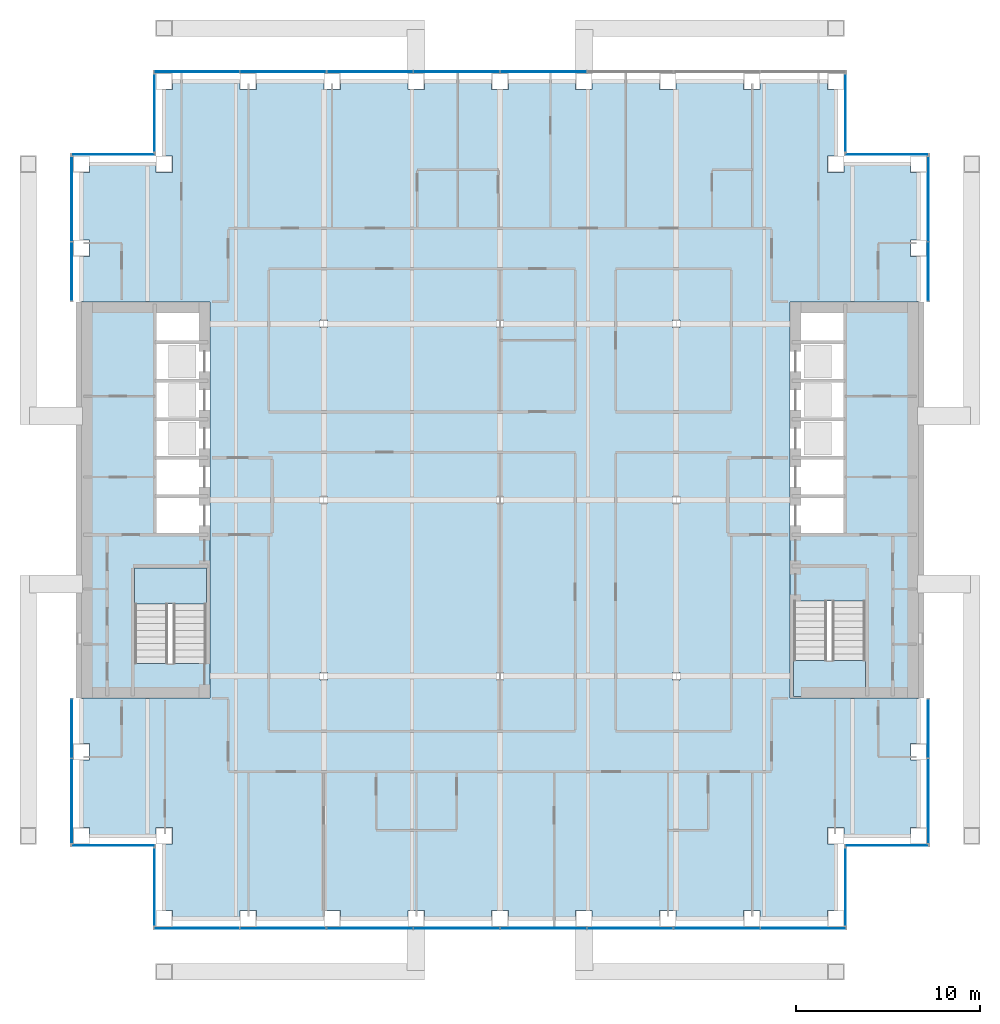
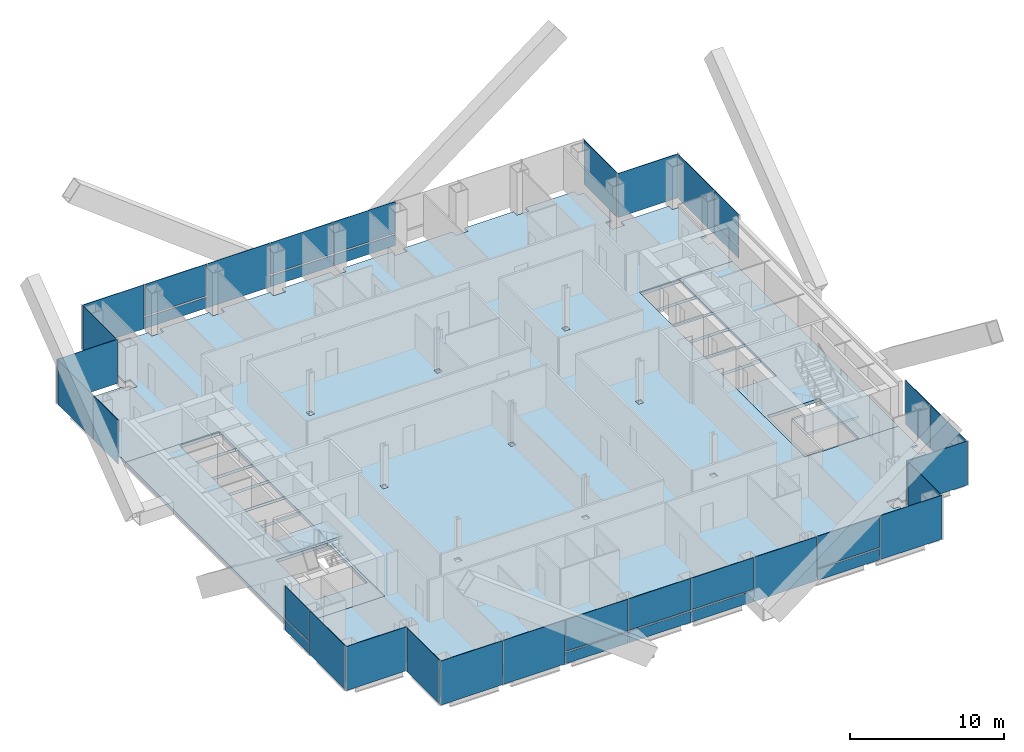
# One storey, part 10 of 17: 38 plates, 5 slabs, 16 elements without a shape of their own.
"""IFC4 building model written with IfcOpenShell, lengths in metres."""

from ifc_helpers import new_model, si_unit, direction, frame, origin, origin_2d, place, context, subcontext, project, spatial, polyline, rectangle, outline, extrude, material, layer, layer_set, type_object, element, aggregate, save


model = new_model("IFC4")

# Units and contexts
model_context = context("Model", 3, precision=1e-05, world=origin(), true_north=direction((0.0, 1.0)))
body_context = subcontext(model_context, "Body", "Model", "MODEL_VIEW")
ifc_project = project(units=[si_unit("LENGTHUNIT", "METRE"), si_unit("AREAUNIT", "SQUARE_METRE"), si_unit("VOLUMEUNIT", "CUBIC_METRE"), si_unit("PLANEANGLEUNIT", "RADIAN"), si_unit("MASSUNIT", "GRAM", prefix="KILO")], contexts=[model_context])

# Site, building, storey
site_placement = place(None, origin())
site = spatial("IfcSite", under=ifc_project, at=site_placement, CompositionType="ELEMENT")
building_placement = place(site_placement, origin())
building = spatial("IfcBuilding", under=site, at=building_placement, Name="Cobrizo Arcos Hotel Tower", CompositionType="ELEMENT")
storey_placement = place(building_placement, frame((0.0, 0.0, 106.5)))
storey = spatial("IfcBuildingStorey", under=building, at=storey_placement, Name="L26", CompositionType="ELEMENT", Elevation=106.5)

# Curtain wall, plates
ifc_material_1 = material(Name="Aluminium 6063-T6 anodised bronze", Category="aluminium")
curtain_wall_type = type_object("IfcCurtainWallType", Name="CW-A guest facade", PredefinedType="NOTDEFINED", material=ifc_material_1)
curtain_wall_1_placement = place(storey_placement, origin())
curtain_wall_1 = element("IfcCurtainWall", 1, at=curtain_wall_1_placement, inside=storey, type_object=curtain_wall_type, Name="CW-A L26 S face", PredefinedType="NOTDEFINED")
ifc_material_2 = material(Name="Glass clear laminated low-e", Category="glass")
ifc_layer_1 = layer(ifc_material_2, 0.0400390625)
ifc_layer_set_1 = layer_set([ifc_layer_1], Name="CW-A glass panel")
plate_type_1 = type_object("IfcPlateType", Name="CW-A glass panel", PredefinedType="CURTAIN_PANEL", material=ifc_layer_set_1)
plate_1_placement = place(storey_placement, frame((-7.08740234375, -23.324951171875, 0.990234375), z_axis=(0.0, 0.0, 1.0), x_axis=(1.0, 0.0, 0.0)))
plate_1 = element("IfcPlate", 2, at=plate_1_placement, type_object=plate_type_1, Name="CW-A glass panel 1013", PredefinedType="CURTAIN_PANEL", context=body_context, shape_type="SweptSolid", body=[
    extrude(rectangle(XDim=4.6650390625, YDim=0.0400390625, at=origin_2d()), origin(), (0.0, 0.0, 1.0), 2.510009765625),
])
plate_2_placement = place(storey_placement, frame((-2.362548828125, -23.324951171875, 0.990234375), z_axis=(0.0, 0.0, 1.0), x_axis=(1.0, 0.0, 0.0)))
plate_2 = element("IfcPlate", 3, at=plate_2_placement, type_object=plate_type_1, Name="CW-A glass panel 1014", PredefinedType="CURTAIN_PANEL", context=body_context, shape_type="SweptSolid", body=[
    extrude(rectangle(XDim=4.6650390625, YDim=0.0400390625, at=origin_2d()), origin(), (0.0, 0.0, 1.0), 2.510009765625),
])
plate_3_placement = place(storey_placement, frame((2.362548828125, -23.324951171875, 0.990234375), z_axis=(0.0, 0.0, 1.0), x_axis=(1.0, 0.0, 0.0)))
plate_3 = element("IfcPlate", 4, at=plate_3_placement, type_object=plate_type_1, Name="CW-A glass panel 1015", PredefinedType="CURTAIN_PANEL", context=body_context, shape_type="SweptSolid", body=[
    extrude(rectangle(XDim=4.6650390625, YDim=0.0400390625, at=origin_2d()), origin(), (0.0, 0.0, 1.0), 2.510009765625),
])
plate_4_placement = place(storey_placement, frame((11.8125, -23.324951171875, 0.990234375), z_axis=(0.0, 0.0, 1.0), x_axis=(1.0, 0.0, 0.0)))
plate_4 = element("IfcPlate", 5, at=plate_4_placement, type_object=plate_type_1, Name="CW-A glass panel 1017", PredefinedType="CURTAIN_PANEL", context=body_context, shape_type="SweptSolid", body=[
    extrude(rectangle(XDim=4.6650390625, YDim=0.0400390625, at=origin_2d()), origin(), (0.0, 0.0, 1.0), 2.510009765625),
])

# Curtain wall, plate
curtain_wall_2_placement = place(storey_placement, origin())
curtain_wall_2 = element("IfcCurtainWall", 6, at=curtain_wall_2_placement, inside=storey, type_object=curtain_wall_type, Name="CW-A L26 E face", PredefinedType="NOTDEFINED")
plate_5_placement = place(storey_placement, frame((23.324951171875, 12.4462890625, 0.990234375), z_axis=(0.0, 0.0, 1.0), x_axis=(0.0, 1.0, 0.0)))
plate_5 = element("IfcPlate", 7, at=plate_5_placement, type_object=plate_type_1, Name="CW-A glass panel 1023", PredefinedType="CURTAIN_PANEL", context=body_context, shape_type="SweptSolid", body=[
    extrude(rectangle(XDim=3.172607421875, YDim=0.0400390625, at=origin_2d()), origin(), (0.0, 0.0, 1.0), 2.510009765625),
])

# Curtain wall, plates
curtain_wall_3_placement = place(storey_placement, origin())
curtain_wall_3 = element("IfcCurtainWall", 8, at=curtain_wall_3_placement, inside=storey, type_object=curtain_wall_type, Name="CW-A L26 N face", PredefinedType="NOTDEFINED")
plate_6_placement = place(storey_placement, frame((2.362548828125, 23.324951171875, 0.990234375), z_axis=(0.0, 0.0, 1.0), x_axis=(-1.0, 0.0, 0.0)))
plate_6 = element("IfcPlate", 9, at=plate_6_placement, type_object=plate_type_1, Name="CW-A glass panel 1030", PredefinedType="CURTAIN_PANEL", context=body_context, shape_type="SweptSolid", body=[
    extrude(rectangle(XDim=4.6650390625, YDim=0.0400390625, at=origin_2d()), origin(), (0.0, 0.0, 1.0), 2.510009765625),
])
plate_7_placement = place(storey_placement, frame((-2.362548828125, 23.324951171875, 0.990234375), z_axis=(0.0, 0.0, 1.0), x_axis=(-1.0, 0.0, 0.0)))
plate_7 = element("IfcPlate", 10, at=plate_7_placement, type_object=plate_type_1, Name="CW-A glass panel 1031", PredefinedType="CURTAIN_PANEL", context=body_context, shape_type="SweptSolid", body=[
    extrude(rectangle(XDim=4.6650390625, YDim=0.0400390625, at=origin_2d()), origin(), (0.0, 0.0, 1.0), 2.510009765625),
])
plate_8_placement = place(storey_placement, frame((-11.8125, 23.324951171875, 0.990234375), z_axis=(0.0, 0.0, 1.0), x_axis=(-1.0, 0.0, 0.0)))
plate_8 = element("IfcPlate", 11, at=plate_8_placement, type_object=plate_type_1, Name="CW-A glass panel 1033", PredefinedType="CURTAIN_PANEL", context=body_context, shape_type="SweptSolid", body=[
    extrude(rectangle(XDim=4.6650390625, YDim=0.0400390625, at=origin_2d()), origin(), (0.0, 0.0, 1.0), 2.510009765625),
])

# Curtain wall, plate
curtain_wall_4_placement = place(storey_placement, origin())
curtain_wall_4 = element("IfcCurtainWall", 12, at=curtain_wall_4_placement, inside=storey, type_object=curtain_wall_type, Name="CW-A L26 W face", PredefinedType="NOTDEFINED")
plate_9_placement = place(storey_placement, frame((-23.324951171875, -12.4462890625, 0.990234375), z_axis=(0.0, 0.0, 1.0), x_axis=(0.0, -1.0, 0.0)))
plate_9 = element("IfcPlate", 13, at=plate_9_placement, type_object=plate_type_1, Name="CW-A glass panel 1039", PredefinedType="CURTAIN_PANEL", context=body_context, shape_type="SweptSolid", body=[
    extrude(rectangle(XDim=3.172607421875, YDim=0.0400390625, at=origin_2d()), origin(), (0.0, 0.0, 1.0), 2.510009765625),
])

# Plate
ifc_material_3 = material(Name="Aluminium composite panel pale metal", Category="aluminium")
ifc_layer_2 = layer(ifc_material_3, 0.0400390625)
ifc_layer_set_2 = layer_set([ifc_layer_2], Name="CW-A spandrel panel")
plate_type_2 = type_object("IfcPlateType", Name="CW-A spandrel panel", PredefinedType="CURTAIN_PANEL", material=ifc_layer_set_2)
plate_10_placement = place(storey_placement, frame((-16.5224609375, -23.324951171875, 0.0), z_axis=(0.0, 0.0, 1.0), x_axis=(1.0, 0.0, 0.0)))
plate_10 = element("IfcPlate", 14, at=plate_10_placement, type_object=plate_type_2, Name="CW-A spandrel panel 1011", PredefinedType="CURTAIN_PANEL", context=body_context, shape_type="SweptSolid", body=[
    extrude(rectangle(XDim=4.635009765625, YDim=0.0400390625, at=origin_2d()), origin(), (0.0, 0.0, 1.0), 3.5),
])

plate_11_placement = place(storey_placement, frame((-11.8125, -23.324951171875, 0.0), z_axis=(0.0, 0.0, 1.0), x_axis=(1.0, 0.0, 0.0)))
plate_11 = element("IfcPlate", 15, at=plate_11_placement, type_object=plate_type_2, Name="CW-A spandrel panel 1012", PredefinedType="CURTAIN_PANEL", context=body_context, shape_type="SweptSolid", body=[
    extrude(rectangle(XDim=4.6650390625, YDim=0.0400390625, at=origin_2d()), origin(), (0.0, 0.0, 1.0), 3.5),
])

plate_12_placement = place(storey_placement, frame((-7.08740234375, -23.324951171875, 0.0), z_axis=(0.0, 0.0, 1.0), x_axis=(1.0, 0.0, 0.0)))
plate_12 = element("IfcPlate", 16, at=plate_12_placement, type_object=plate_type_2, Name="CW-A spandrel panel 1013", PredefinedType="CURTAIN_PANEL", context=body_context, shape_type="SweptSolid", body=[
    extrude(rectangle(XDim=4.6650390625, YDim=0.0400390625, at=origin_2d()), origin(), (0.0, 0.0, 1.0), 0.8701171875),
])

plate_13_placement = place(storey_placement, frame((-2.362548828125, -23.324951171875, 0.0), z_axis=(0.0, 0.0, 1.0), x_axis=(1.0, 0.0, 0.0)))
plate_13 = element("IfcPlate", 17, at=plate_13_placement, type_object=plate_type_2, Name="CW-A spandrel panel 1014", PredefinedType="CURTAIN_PANEL", context=body_context, shape_type="SweptSolid", body=[
    extrude(rectangle(XDim=4.6650390625, YDim=0.0400390625, at=origin_2d()), origin(), (0.0, 0.0, 1.0), 0.8701171875),
])

plate_14_placement = place(storey_placement, frame((2.362548828125, -23.324951171875, 0.0), z_axis=(0.0, 0.0, 1.0), x_axis=(1.0, 0.0, 0.0)))
plate_14 = element("IfcPlate", 18, at=plate_14_placement, type_object=plate_type_2, Name="CW-A spandrel panel 1015", PredefinedType="CURTAIN_PANEL", context=body_context, shape_type="SweptSolid", body=[
    extrude(rectangle(XDim=4.6650390625, YDim=0.0400390625, at=origin_2d()), origin(), (0.0, 0.0, 1.0), 0.8701171875),
])

plate_15_placement = place(storey_placement, frame((7.08740234375, -23.324951171875, 0.0), z_axis=(0.0, 0.0, 1.0), x_axis=(1.0, 0.0, 0.0)))
plate_15 = element("IfcPlate", 19, at=plate_15_placement, type_object=plate_type_2, Name="CW-A spandrel panel 1016", PredefinedType="CURTAIN_PANEL", context=body_context, shape_type="SweptSolid", body=[
    extrude(rectangle(XDim=4.6650390625, YDim=0.0400390625, at=origin_2d()), origin(), (0.0, 0.0, 1.0), 3.5),
])

plate_16_placement = place(storey_placement, frame((11.8125, -23.324951171875, 0.0), z_axis=(0.0, 0.0, 1.0), x_axis=(1.0, 0.0, 0.0)))
plate_16 = element("IfcPlate", 20, at=plate_16_placement, type_object=plate_type_2, Name="CW-A spandrel panel 1017", PredefinedType="CURTAIN_PANEL", context=body_context, shape_type="SweptSolid", body=[
    extrude(rectangle(XDim=4.6650390625, YDim=0.0400390625, at=origin_2d()), origin(), (0.0, 0.0, 1.0), 0.8701171875),
])

plate_17_placement = place(storey_placement, frame((16.5224609375, -23.324951171875, 0.0), z_axis=(0.0, 0.0, 1.0), x_axis=(1.0, 0.0, 0.0)))
plate_17 = element("IfcPlate", 21, at=plate_17_placement, type_object=plate_type_2, Name="CW-A spandrel panel 1018", PredefinedType="CURTAIN_PANEL", context=body_context, shape_type="SweptSolid", body=[
    extrude(rectangle(XDim=4.635009765625, YDim=0.0400390625, at=origin_2d()), origin(), (0.0, 0.0, 1.0), 3.5),
])

aggregate(curtain_wall_1, [plate_10, plate_11, plate_12, plate_1, plate_13, plate_2, plate_14, plate_3, plate_15, plate_16, plate_4, plate_17])

# Curtain wall, plate
curtain_wall_5_placement = place(storey_placement, origin())
curtain_wall_5 = element("IfcCurtainWall", 22, at=curtain_wall_5_placement, inside=storey, type_object=curtain_wall_type, Name="CW-A L26 E face", PredefinedType="NOTDEFINED")
plate_18_placement = place(storey_placement, frame((18.824951171875, -21.074951171875, 0.0), z_axis=(0.0, 0.0, 1.0), x_axis=(0.0, 1.0, 0.0)))
plate_18 = element("IfcPlate", 23, at=plate_18_placement, type_object=plate_type_2, Name="CW-A spandrel panel 1019", PredefinedType="CURTAIN_PANEL", context=body_context, shape_type="SweptSolid", body=[
    extrude(rectangle(XDim=4.22998046875, YDim=0.0400390625, at=origin_2d()), origin(), (0.0, 0.0, 1.0), 3.5),
])
aggregate(curtain_wall_5, [plate_18])

curtain_wall_6_placement = place(storey_placement, origin())
curtain_wall_6 = element("IfcCurtainWall", 24, at=curtain_wall_6_placement, inside=storey, type_object=curtain_wall_type, Name="CW-A L26 S face", PredefinedType="NOTDEFINED")
plate_19_placement = place(storey_placement, frame((21.074951171875, -18.824951171875, 0.0), z_axis=(0.0, 0.0, 1.0), x_axis=(1.0, 0.0, 0.0)))
plate_19 = element("IfcPlate", 25, at=plate_19_placement, type_object=plate_type_2, Name="CW-A spandrel panel 1020", PredefinedType="CURTAIN_PANEL", context=body_context, shape_type="SweptSolid", body=[
    extrude(rectangle(XDim=4.530029296875, YDim=0.0400390625, at=origin_2d()), origin(), (0.0, 0.0, 1.0), 3.5),
])
aggregate(curtain_wall_6, [plate_19])

# Curtain wall, plates
curtain_wall_7_placement = place(storey_placement, origin())
curtain_wall_7 = element("IfcCurtainWall", 26, at=curtain_wall_7_placement, inside=storey, type_object=curtain_wall_type, Name="CW-A L26 E face", PredefinedType="NOTDEFINED")
plate_20_placement = place(storey_placement, frame((23.324951171875, -16.391357421875, 0.0), z_axis=(0.0, 0.0, 1.0), x_axis=(0.0, 1.0, 0.0)))
plate_20 = element("IfcPlate", 27, at=plate_20_placement, type_object=plate_type_2, Name="CW-A spandrel panel 1021", PredefinedType="CURTAIN_PANEL", context=body_context, shape_type="SweptSolid", body=[
    extrude(rectangle(XDim=4.597412109375, YDim=0.0400390625, at=origin_2d()), origin(), (0.0, 0.0, 1.0), 3.5),
])
plate_21_placement = place(storey_placement, frame((23.324951171875, -12.4462890625, 0.0), z_axis=(0.0, 0.0, 1.0), x_axis=(0.0, 1.0, 0.0)))
plate_21 = element("IfcPlate", 28, at=plate_21_placement, type_object=plate_type_2, Name="CW-A spandrel panel 1022", PredefinedType="CURTAIN_PANEL", context=body_context, shape_type="SweptSolid", body=[
    extrude(rectangle(XDim=3.172607421875, YDim=0.0400390625, at=origin_2d()), origin(), (0.0, 0.0, 1.0), 3.5),
])
aggregate(curtain_wall_7, [plate_20, plate_21])

# Plate
plate_22_placement = place(storey_placement, frame((23.324951171875, 12.4462890625, 0.0), z_axis=(0.0, 0.0, 1.0), x_axis=(0.0, 1.0, 0.0)))
plate_22 = element("IfcPlate", 29, at=plate_22_placement, type_object=plate_type_2, Name="CW-A spandrel panel 1023", PredefinedType="CURTAIN_PANEL", context=body_context, shape_type="SweptSolid", body=[
    extrude(rectangle(XDim=3.172607421875, YDim=0.0400390625, at=origin_2d()), origin(), (0.0, 0.0, 1.0), 0.8701171875),
])

plate_23_placement = place(storey_placement, frame((23.324951171875, 16.391357421875, 0.0), z_axis=(0.0, 0.0, 1.0), x_axis=(0.0, 1.0, 0.0)))
plate_23 = element("IfcPlate", 30, at=plate_23_placement, type_object=plate_type_2, Name="CW-A spandrel panel 1024", PredefinedType="CURTAIN_PANEL", context=body_context, shape_type="SweptSolid", body=[
    extrude(rectangle(XDim=4.597412109375, YDim=0.0400390625, at=origin_2d()), origin(), (0.0, 0.0, 1.0), 3.5),
])

aggregate(curtain_wall_2, [plate_22, plate_5, plate_23])

# Curtain wall, plate
curtain_wall_8_placement = place(storey_placement, origin())
curtain_wall_8 = element("IfcCurtainWall", 31, at=curtain_wall_8_placement, inside=storey, type_object=curtain_wall_type, Name="CW-A L26 N face", PredefinedType="NOTDEFINED")
plate_24_placement = place(storey_placement, frame((21.074951171875, 18.824951171875, 0.0), z_axis=(0.0, 0.0, 1.0), x_axis=(-1.0, 0.0, 0.0)))
plate_24 = element("IfcPlate", 32, at=plate_24_placement, type_object=plate_type_2, Name="CW-A spandrel panel 1025", PredefinedType="CURTAIN_PANEL", context=body_context, shape_type="SweptSolid", body=[
    extrude(rectangle(XDim=4.530029296875, YDim=0.0400390625, at=origin_2d()), origin(), (0.0, 0.0, 1.0), 3.5),
])
aggregate(curtain_wall_8, [plate_24])

curtain_wall_9_placement = place(storey_placement, origin())
curtain_wall_9 = element("IfcCurtainWall", 33, at=curtain_wall_9_placement, inside=storey, type_object=curtain_wall_type, Name="CW-A L26 E face", PredefinedType="NOTDEFINED")
plate_25_placement = place(storey_placement, frame((18.824951171875, 21.074951171875, 0.0), z_axis=(0.0, 0.0, 1.0), x_axis=(0.0, 1.0, 0.0)))
plate_25 = element("IfcPlate", 34, at=plate_25_placement, type_object=plate_type_2, Name="CW-A spandrel panel 1026", PredefinedType="CURTAIN_PANEL", context=body_context, shape_type="SweptSolid", body=[
    extrude(rectangle(XDim=4.22998046875, YDim=0.0400390625, at=origin_2d()), origin(), (0.0, 0.0, 1.0), 3.5),
])
aggregate(curtain_wall_9, [plate_25])

# Plate
plate_26_placement = place(storey_placement, frame((2.362548828125, 23.324951171875, 0.0), z_axis=(0.0, 0.0, 1.0), x_axis=(-1.0, 0.0, 0.0)))
plate_26 = element("IfcPlate", 35, at=plate_26_placement, type_object=plate_type_2, Name="CW-A spandrel panel 1030", PredefinedType="CURTAIN_PANEL", context=body_context, shape_type="SweptSolid", body=[
    extrude(rectangle(XDim=4.6650390625, YDim=0.0400390625, at=origin_2d()), origin(), (0.0, 0.0, 1.0), 0.8701171875),
])

plate_27_placement = place(storey_placement, frame((-2.362548828125, 23.324951171875, 0.0), z_axis=(0.0, 0.0, 1.0), x_axis=(-1.0, 0.0, 0.0)))
plate_27 = element("IfcPlate", 36, at=plate_27_placement, type_object=plate_type_2, Name="CW-A spandrel panel 1031", PredefinedType="CURTAIN_PANEL", context=body_context, shape_type="SweptSolid", body=[
    extrude(rectangle(XDim=4.6650390625, YDim=0.0400390625, at=origin_2d()), origin(), (0.0, 0.0, 1.0), 0.8701171875),
])

plate_28_placement = place(storey_placement, frame((-7.08740234375, 23.324951171875, 0.0), z_axis=(0.0, 0.0, 1.0), x_axis=(-1.0, 0.0, 0.0)))
plate_28 = element("IfcPlate", 37, at=plate_28_placement, type_object=plate_type_2, Name="CW-A spandrel panel 1032", PredefinedType="CURTAIN_PANEL", context=body_context, shape_type="SweptSolid", body=[
    extrude(rectangle(XDim=4.6650390625, YDim=0.0400390625, at=origin_2d()), origin(), (0.0, 0.0, 1.0), 3.5),
])

plate_29_placement = place(storey_placement, frame((-11.8125, 23.324951171875, 0.0), z_axis=(0.0, 0.0, 1.0), x_axis=(-1.0, 0.0, 0.0)))
plate_29 = element("IfcPlate", 38, at=plate_29_placement, type_object=plate_type_2, Name="CW-A spandrel panel 1033", PredefinedType="CURTAIN_PANEL", context=body_context, shape_type="SweptSolid", body=[
    extrude(rectangle(XDim=4.6650390625, YDim=0.0400390625, at=origin_2d()), origin(), (0.0, 0.0, 1.0), 0.8701171875),
])

plate_30_placement = place(storey_placement, frame((-16.5224609375, 23.324951171875, 0.0), z_axis=(0.0, 0.0, 1.0), x_axis=(-1.0, 0.0, 0.0)))
plate_30 = element("IfcPlate", 39, at=plate_30_placement, type_object=plate_type_2, Name="CW-A spandrel panel 1034", PredefinedType="CURTAIN_PANEL", context=body_context, shape_type="SweptSolid", body=[
    extrude(rectangle(XDim=4.635009765625, YDim=0.0400390625, at=origin_2d()), origin(), (0.0, 0.0, 1.0), 3.5),
])

aggregate(curtain_wall_3, [plate_26, plate_6, plate_27, plate_7, plate_28, plate_29, plate_8, plate_30])

# Curtain wall, plate
curtain_wall_10_placement = place(storey_placement, origin())
curtain_wall_10 = element("IfcCurtainWall", 40, at=curtain_wall_10_placement, inside=storey, type_object=curtain_wall_type, Name="CW-A L26 W face", PredefinedType="NOTDEFINED")
plate_31_placement = place(storey_placement, frame((-18.824951171875, 21.074951171875, 0.0), z_axis=(0.0, 0.0, 1.0), x_axis=(0.0, -1.0, 0.0)))
plate_31 = element("IfcPlate", 41, at=plate_31_placement, type_object=plate_type_2, Name="CW-A spandrel panel 1035", PredefinedType="CURTAIN_PANEL", context=body_context, shape_type="SweptSolid", body=[
    extrude(rectangle(XDim=4.22998046875, YDim=0.0400390625, at=origin_2d()), origin(), (0.0, 0.0, 1.0), 3.5),
])
aggregate(curtain_wall_10, [plate_31])

curtain_wall_11_placement = place(storey_placement, origin())
curtain_wall_11 = element("IfcCurtainWall", 42, at=curtain_wall_11_placement, inside=storey, type_object=curtain_wall_type, Name="CW-A L26 N face", PredefinedType="NOTDEFINED")
plate_32_placement = place(storey_placement, frame((-21.074951171875, 18.824951171875, 0.0), z_axis=(0.0, 0.0, 1.0), x_axis=(-1.0, 0.0, 0.0)))
plate_32 = element("IfcPlate", 43, at=plate_32_placement, type_object=plate_type_2, Name="CW-A spandrel panel 1036", PredefinedType="CURTAIN_PANEL", context=body_context, shape_type="SweptSolid", body=[
    extrude(rectangle(XDim=4.530029296875, YDim=0.0400390625, at=origin_2d()), origin(), (0.0, 0.0, 1.0), 3.5),
])
aggregate(curtain_wall_11, [plate_32])

# Curtain wall, plates
curtain_wall_12_placement = place(storey_placement, origin())
curtain_wall_12 = element("IfcCurtainWall", 44, at=curtain_wall_12_placement, inside=storey, type_object=curtain_wall_type, Name="CW-A L26 W face", PredefinedType="NOTDEFINED")
plate_33_placement = place(storey_placement, frame((-23.324951171875, 16.391357421875, 0.0), z_axis=(0.0, 0.0, 1.0), x_axis=(0.0, -1.0, 0.0)))
plate_33 = element("IfcPlate", 45, at=plate_33_placement, type_object=plate_type_2, Name="CW-A spandrel panel 1037", PredefinedType="CURTAIN_PANEL", context=body_context, shape_type="SweptSolid", body=[
    extrude(rectangle(XDim=4.597412109375, YDim=0.0400390625, at=origin_2d()), origin(), (0.0, 0.0, 1.0), 3.5),
])
plate_34_placement = place(storey_placement, frame((-23.324951171875, 12.4462890625, 0.0), z_axis=(0.0, 0.0, 1.0), x_axis=(0.0, -1.0, 0.0)))
plate_34 = element("IfcPlate", 46, at=plate_34_placement, type_object=plate_type_2, Name="CW-A spandrel panel 1038", PredefinedType="CURTAIN_PANEL", context=body_context, shape_type="SweptSolid", body=[
    extrude(rectangle(XDim=3.172607421875, YDim=0.0400390625, at=origin_2d()), origin(), (0.0, 0.0, 1.0), 3.5),
])
aggregate(curtain_wall_12, [plate_33, plate_34])

# Plate
plate_35_placement = place(storey_placement, frame((-23.324951171875, -12.4462890625, 0.0), z_axis=(0.0, 0.0, 1.0), x_axis=(0.0, -1.0, 0.0)))
plate_35 = element("IfcPlate", 47, at=plate_35_placement, type_object=plate_type_2, Name="CW-A spandrel panel 1039", PredefinedType="CURTAIN_PANEL", context=body_context, shape_type="SweptSolid", body=[
    extrude(rectangle(XDim=3.172607421875, YDim=0.0400390625, at=origin_2d()), origin(), (0.0, 0.0, 1.0), 0.8701171875),
])

plate_36_placement = place(storey_placement, frame((-23.324951171875, -16.391357421875, 0.0), z_axis=(0.0, 0.0, 1.0), x_axis=(0.0, -1.0, 0.0)))
plate_36 = element("IfcPlate", 48, at=plate_36_placement, type_object=plate_type_2, Name="CW-A spandrel panel 1040", PredefinedType="CURTAIN_PANEL", context=body_context, shape_type="SweptSolid", body=[
    extrude(rectangle(XDim=4.597412109375, YDim=0.0400390625, at=origin_2d()), origin(), (0.0, 0.0, 1.0), 3.5),
])

aggregate(curtain_wall_4, [plate_35, plate_9, plate_36])

# Curtain wall, plate
curtain_wall_13_placement = place(storey_placement, origin())
curtain_wall_13 = element("IfcCurtainWall", 49, at=curtain_wall_13_placement, inside=storey, type_object=curtain_wall_type, Name="CW-A L26 S face", PredefinedType="NOTDEFINED")
plate_37_placement = place(storey_placement, frame((-21.074951171875, -18.824951171875, 0.0), z_axis=(0.0, 0.0, 1.0), x_axis=(1.0, 0.0, 0.0)))
plate_37 = element("IfcPlate", 50, at=plate_37_placement, type_object=plate_type_2, Name="CW-A spandrel panel 1041", PredefinedType="CURTAIN_PANEL", context=body_context, shape_type="SweptSolid", body=[
    extrude(rectangle(XDim=4.530029296875, YDim=0.0400390625, at=origin_2d()), origin(), (0.0, 0.0, 1.0), 3.5),
])
aggregate(curtain_wall_13, [plate_37])

curtain_wall_14_placement = place(storey_placement, origin())
curtain_wall_14 = element("IfcCurtainWall", 51, at=curtain_wall_14_placement, inside=storey, type_object=curtain_wall_type, Name="CW-A L26 W face", PredefinedType="NOTDEFINED")
plate_38_placement = place(storey_placement, frame((-18.824951171875, -21.074951171875, 0.0), z_axis=(0.0, 0.0, 1.0), x_axis=(0.0, -1.0, 0.0)))
plate_38 = element("IfcPlate", 52, at=plate_38_placement, type_object=plate_type_2, Name="CW-A spandrel panel 1042", PredefinedType="CURTAIN_PANEL", context=body_context, shape_type="SweptSolid", body=[
    extrude(rectangle(XDim=4.22998046875, YDim=0.0400390625, at=origin_2d()), origin(), (0.0, 0.0, 1.0), 3.5),
])
aggregate(curtain_wall_14, [plate_38])

# Slabs
ifc_material_4 = material(Name="Concrete f'c 35 MPa", Category="concrete")
ifc_layer_3 = layer(ifc_material_4, 0.14990234375)
ifc_layer_set_3 = layer_set([ifc_layer_3], Name="Composite floor slab 150 f'c 35")
slab_type_1 = type_object("IfcSlabType", Name="Composite floor slab 150 f'c 35", PredefinedType="FLOOR", material=ifc_layer_set_3)
slab_1_placement = place(storey_placement, frame((0.0, 0.0, -0.14990234375)))
element("IfcSlab", 53, at=slab_1_placement, inside=storey, type_object=slab_type_1, Name="Floor slab S5, L26, no. 01", PredefinedType="FLOOR", context=body_context, shape_type="SweptSolid", body=[
    extrude(outline(polyline([(-17.85009765625, -22.800048828125), (-17.85009765625, -22.35009765625), (-18.300048828125, -22.35009765625), (-18.300048828125, -18.75), (-17.85009765625, -18.75), (-17.85009765625, -17.85009765625), (-18.75, -17.85009765625), (-18.75, -18.300048828125), (-22.35009765625, -18.300048828125), (-22.35009765625, -17.85009765625), (-22.800048828125, -17.85009765625), (-22.800048828125, -14.175048828125), (-22.35009765625, -14.175048828125), (-22.35009765625, -13.27490234375), (-22.800048828125, -13.27490234375), (-22.800048828125, -10.800048828125), (-15.800048828125, -10.800048828125), (-15.800048828125, 10.800048828125), (-22.800048828125, 10.800048828125), (-22.800048828125, 13.27490234375), (-22.35009765625, 13.27490234375), (-22.35009765625, 14.175048828125), (-22.800048828125, 14.175048828125), (-22.800048828125, 17.85009765625), (-22.35009765625, 17.85009765625), (-22.35009765625, 18.300048828125), (-18.75, 18.300048828125), (-18.75, 17.85009765625), (-17.85009765625, 17.85009765625), (-17.85009765625, 18.75), (-18.300048828125, 18.75), (-18.300048828125, 22.35009765625), (-17.85009765625, 22.35009765625), (-17.85009765625, 22.800048828125), (-14.175048828125, 22.800048828125), (-14.175048828125, 22.35009765625), (-13.27490234375, 22.35009765625), (-13.27490234375, 22.800048828125), (-9.60009765625, 22.800048828125), (-9.60009765625, 22.35009765625), (-8.699951171875, 22.35009765625), (-8.699951171875, 22.800048828125), (-5.02490234375, 22.800048828125), (-5.02490234375, 22.35009765625), (-4.125, 22.35009765625), (-4.125, 22.800048828125), (-0.449951171875, 22.800048828125), (-0.449951171875, 22.35009765625), (0.449951171875, 22.35009765625), (0.449951171875, 22.800048828125), (4.125, 22.800048828125), (4.125, 22.35009765625), (5.02490234375, 22.35009765625), (5.02490234375, 22.800048828125), (8.699951171875, 22.800048828125), (8.699951171875, 22.35009765625), (9.60009765625, 22.35009765625), (9.60009765625, 22.800048828125), (13.27490234375, 22.800048828125), (13.27490234375, 22.35009765625), (14.175048828125, 22.35009765625), (14.175048828125, 22.800048828125), (17.85009765625, 22.800048828125), (17.85009765625, 22.35009765625), (18.300048828125, 22.35009765625), (18.300048828125, 18.75), (17.85009765625, 18.75), (17.85009765625, 17.85009765625), (18.75, 17.85009765625), (18.75, 18.300048828125), (22.35009765625, 18.300048828125), (22.35009765625, 17.85009765625), (22.800048828125, 17.85009765625), (22.800048828125, 14.175048828125), (22.35009765625, 14.175048828125), (22.35009765625, 13.27490234375), (22.800048828125, 13.27490234375), (22.800048828125, 10.800048828125), (15.800048828125, 10.800048828125), (15.800048828125, -10.800048828125), (22.800048828125, -10.800048828125), (22.800048828125, -13.27490234375), (22.35009765625, -13.27490234375), (22.35009765625, -14.175048828125), (22.800048828125, -14.175048828125), (22.800048828125, -17.85009765625), (22.35009765625, -17.85009765625), (22.35009765625, -18.300048828125), (18.75, -18.300048828125), (18.75, -17.85009765625), (17.85009765625, -17.85009765625), (17.85009765625, -18.75), (18.300048828125, -18.75), (18.300048828125, -22.35009765625), (17.85009765625, -22.35009765625), (17.85009765625, -22.800048828125), (14.175048828125, -22.800048828125), (14.175048828125, -22.35009765625), (13.27490234375, -22.35009765625), (13.27490234375, -22.800048828125), (9.60009765625, -22.800048828125), (9.60009765625, -22.35009765625), (8.699951171875, -22.35009765625), (8.699951171875, -22.800048828125), (5.02490234375, -22.800048828125), (5.02490234375, -22.35009765625), (4.125, -22.35009765625), (4.125, -22.800048828125), (0.449951171875, -22.800048828125), (0.449951171875, -22.35009765625), (-0.449951171875, -22.35009765625), (-0.449951171875, -22.800048828125), (-4.125, -22.800048828125), (-4.125, -22.35009765625), (-5.02490234375, -22.35009765625), (-5.02490234375, -22.800048828125), (-8.699951171875, -22.800048828125), (-8.699951171875, -22.35009765625), (-9.60009765625, -22.35009765625), (-9.60009765625, -22.800048828125), (-13.27490234375, -22.800048828125), (-13.27490234375, -22.35009765625), (-14.175048828125, -22.35009765625), (-14.175048828125, -22.800048828125), (-17.85009765625, -22.800048828125)]), holes=[polyline([(-9.400634765625, -9.79931640625), (-9.400634765625, -9.400634765625), (-9.79931640625, -9.400634765625), (-9.79931640625, -9.79931640625), (-9.400634765625, -9.79931640625)]), polyline([(-9.400634765625, -0.199462890625), (-9.400634765625, 0.199462890625), (-9.79931640625, 0.199462890625), (-9.79931640625, -0.199462890625), (-9.400634765625, -0.199462890625)]), polyline([(-9.79931640625, 9.400634765625), (-9.400634765625, 9.400634765625), (-9.400634765625, 9.79931640625), (-9.79931640625, 9.79931640625), (-9.79931640625, 9.400634765625)]), polyline([(-0.199462890625, -9.79931640625), (0.199462890625, -9.79931640625), (0.199462890625, -9.400634765625), (-0.199462890625, -9.400634765625), (-0.199462890625, -9.79931640625)]), polyline([(0.199462890625, -0.199462890625), (0.199462890625, 0.199462890625), (-0.199462890625, 0.199462890625), (-0.199462890625, -0.199462890625), (0.199462890625, -0.199462890625)]), polyline([(0.199462890625, 9.400634765625), (0.199462890625, 9.79931640625), (-0.199462890625, 9.79931640625), (-0.199462890625, 9.400634765625), (0.199462890625, 9.400634765625)]), polyline([(9.79931640625, 9.400634765625), (9.79931640625, 9.79931640625), (9.400634765625, 9.79931640625), (9.400634765625, 9.400634765625), (9.79931640625, 9.400634765625)]), polyline([(9.400634765625, -9.79931640625), (9.79931640625, -9.79931640625), (9.79931640625, -9.400634765625), (9.400634765625, -9.400634765625), (9.400634765625, -9.79931640625)]), polyline([(9.400634765625, -0.199462890625), (9.79931640625, -0.199462890625), (9.79931640625, 0.199462890625), (9.400634765625, 0.199462890625), (9.400634765625, -0.199462890625)])]), origin(), (0.0, 0.0, 1.0), 0.14990234375),
])
ifc_material_5 = material(Name="Concrete f'c 50 MPa", Category="concrete")
ifc_layer_4 = layer(ifc_material_5, 0.25)
ifc_layer_set_4 = layer_set([ifc_layer_4], Name="RC core floor slab 250 f'c 50")
slab_type_2 = type_object("IfcSlabType", Name="RC core floor slab 250 f'c 50", PredefinedType="FLOOR", material=ifc_layer_set_4)
slab_2_placement = place(storey_placement, frame((0.0, 0.0, -0.25)))
element("IfcSlab", 54, at=slab_2_placement, inside=storey, type_object=slab_type_2, Name="Core floor slab CS5, east core, L26", PredefinedType="FLOOR", context=body_context, shape_type="SweptSolid", body=[
    extrude(outline(polyline([(15.800048828125, 10.800048828125), (22.800048828125, 10.800048828125), (22.800048828125, -10.800048828125), (15.800048828125, -10.800048828125), (15.800048828125, 10.800048828125)]), holes=[polyline([(19.89794921875, -10.697998046875), (19.89794921875, -5.501953125), (16.001953125, -5.501953125), (16.001953125, -10.697998046875), (19.89794921875, -10.697998046875)]), polyline([(15.802001953125, 0.197998046875), (15.802001953125, -1.89794921875), (18.798095703125, -1.89794921875), (18.798095703125, 0.197998046875), (15.802001953125, 0.197998046875)]), polyline([(18.798095703125, 2.298095703125), (15.802001953125, 2.298095703125), (15.802001953125, 0.201904296875), (18.798095703125, 0.201904296875), (18.798095703125, 2.298095703125)]), polyline([(18.798095703125, 4.39794921875), (15.802001953125, 4.39794921875), (15.802001953125, 2.302001953125), (18.798095703125, 2.302001953125), (18.798095703125, 4.39794921875)]), polyline([(15.802001953125, 6.498046875), (15.802001953125, 4.402099609375), (18.798095703125, 4.402099609375), (18.798095703125, 6.498046875), (15.802001953125, 6.498046875)]), polyline([(18.798095703125, 8.597900390625), (15.802001953125, 8.597900390625), (15.802001953125, 6.501953125), (18.798095703125, 6.501953125), (18.798095703125, 8.597900390625)]), polyline([(18.798095703125, 10.697998046875), (15.802001953125, 10.697998046875), (15.802001953125, 8.60205078125), (18.798095703125, 8.60205078125), (18.798095703125, 10.697998046875)])]), origin(), (0.0, 0.0, 1.0), 0.25),
])
slab_3_placement = place(storey_placement, frame((0.0, 0.0, -0.25)))
element("IfcSlab", 55, at=slab_3_placement, inside=storey, type_object=slab_type_2, Name="Core floor slab CS5, west core, L26", PredefinedType="FLOOR", context=body_context, shape_type="SweptSolid", body=[
    extrude(outline(polyline([(-22.800048828125, 10.800048828125), (-15.800048828125, 10.800048828125), (-15.800048828125, -10.800048828125), (-22.800048828125, -10.800048828125), (-22.800048828125, 10.800048828125)]), holes=[polyline([(-19.89794921875, -3.701904296875), (-19.89794921875, -8.89794921875), (-16.001953125, -8.89794921875), (-16.001953125, -3.701904296875), (-19.89794921875, -3.701904296875)]), polyline([(-18.798095703125, 0.197998046875), (-18.798095703125, -1.89794921875), (-15.802001953125, -1.89794921875), (-15.802001953125, 0.197998046875), (-18.798095703125, 0.197998046875)]), polyline([(-15.802001953125, 2.298095703125), (-18.798095703125, 2.298095703125), (-18.798095703125, 0.201904296875), (-15.802001953125, 0.201904296875), (-15.802001953125, 2.298095703125)]), polyline([(-15.802001953125, 4.39794921875), (-18.798095703125, 4.39794921875), (-18.798095703125, 2.302001953125), (-15.802001953125, 2.302001953125), (-15.802001953125, 4.39794921875)]), polyline([(-18.798095703125, 6.498046875), (-18.798095703125, 4.402099609375), (-15.802001953125, 4.402099609375), (-15.802001953125, 6.498046875), (-18.798095703125, 6.498046875)]), polyline([(-15.802001953125, 8.597900390625), (-18.798095703125, 8.597900390625), (-18.798095703125, 6.501953125), (-15.802001953125, 6.501953125), (-15.802001953125, 8.597900390625)]), polyline([(-15.802001953125, 10.697998046875), (-18.798095703125, 10.697998046875), (-18.798095703125, 8.60205078125), (-15.802001953125, 8.60205078125), (-15.802001953125, 10.697998046875)])]), origin(), (0.0, 0.0, 1.0), 0.25),
])

# Stair, slab
ifc_material_6 = material(Name="Concrete f'c 40 MPa", Category="concrete")
stair_type = type_object("IfcStairType", Name="Exit stair", PredefinedType="HALF_TURN_STAIR", material=ifc_material_6)
stair_1_placement = place(storey_placement, origin())
stair_1 = element("IfcStair", 56, at=stair_1_placement, inside=storey, type_object=stair_type, Name="L26 Exit stair ST-W", PredefinedType="HALF_TURN_STAIR")
ifc_layer_5 = layer(ifc_material_6, 0.199951171875)
ifc_layer_set_5 = layer_set([ifc_layer_5], Name="Stair landing")
slab_type_3 = type_object("IfcSlabType", Name="Stair landing", PredefinedType="LANDING", material=ifc_layer_set_5)
slab_4_placement = place(storey_placement, frame((0.0, 0.0, 1.550048828125)))
slab_4 = element("IfcSlab", 57, at=slab_4_placement, type_object=slab_type_3, Name="ST-W landing 1", PredefinedType="LANDING", context=body_context, shape_type="SweptSolid", body=[
    extrude(outline(polyline([(-16.0, -5.659912109375), (-16.0, -3.699951171875), (-19.89990234375, -3.699951171875), (-19.89990234375, -5.659912109375), (-16.0, -5.659912109375)])), origin(), (0.0, 0.0, 1.0), 0.199951171875),
])
aggregate(stair_1, [slab_4])

stair_2_placement = place(storey_placement, origin())
stair_2 = element("IfcStair", 58, at=stair_2_placement, inside=storey, type_object=stair_type, Name="L26 Exit stair ST-E", PredefinedType="HALF_TURN_STAIR")
slab_5_placement = place(storey_placement, frame((0.0, 0.0, 1.550048828125)))
slab_5 = element("IfcSlab", 59, at=slab_5_placement, type_object=slab_type_3, Name="ST-E landing 1", PredefinedType="LANDING", context=body_context, shape_type="SweptSolid", body=[
    extrude(outline(polyline([(16.0, -8.739990234375), (16.0, -10.699951171875), (19.89990234375, -10.699951171875), (19.89990234375, -8.739990234375), (16.0, -8.739990234375)])), origin(), (0.0, 0.0, 1.0), 0.199951171875),
])
aggregate(stair_2, [slab_5])

save(model, "model.ifc")
